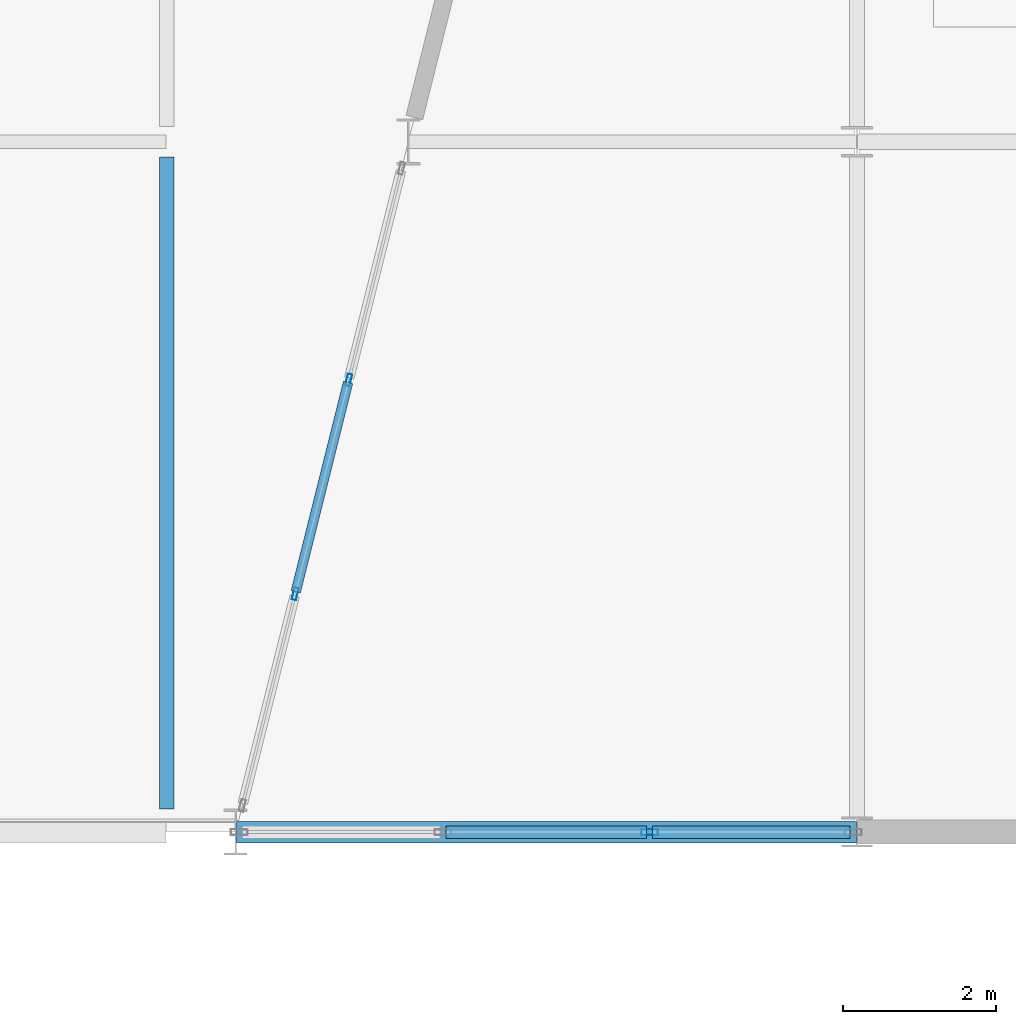
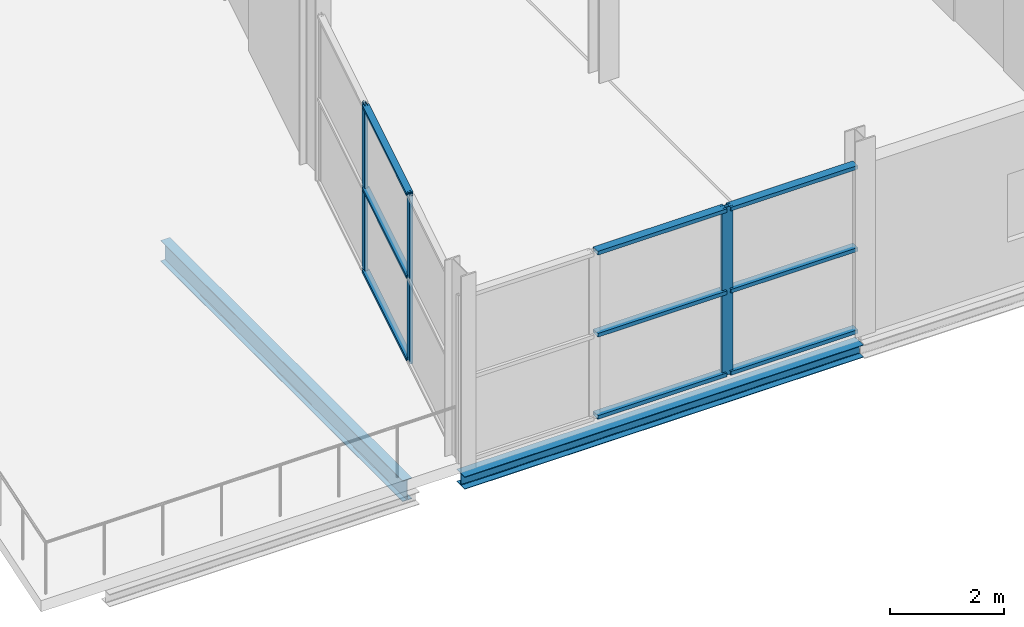
# One storey, part 9 of 44: 12 members, 2 beams, 2 elements without a shape of their own.
"""IFC4 building model written with IfcOpenShell, lengths in metres."""

from ifc_helpers import new_model, si_unit, direction, frame, origin, origin_2d, place, context, subcontext, project, spatial, hollow_rectangle, i_section, extrude, material, layer, layer_set, material_profile, profile_set, type_object, element, aggregate, save


model = new_model("IFC4")

# Units and contexts
model_context = context("Model", 3, precision=1e-05, world=origin(), true_north=direction((0.0, 1.0)))
body_context = subcontext(model_context, "Body", "Model", "MODEL_VIEW")
ifc_project = project(units=[si_unit("LENGTHUNIT", "METRE"), si_unit("AREAUNIT", "SQUARE_METRE"), si_unit("VOLUMEUNIT", "CUBIC_METRE"), si_unit("PLANEANGLEUNIT", "RADIAN"), si_unit("MASSUNIT", "GRAM", prefix="KILO")], contexts=[model_context])

# Site, building, storey
site_placement = place(None, origin())
site = spatial("IfcSite", under=ifc_project, at=site_placement, CompositionType="ELEMENT")
building_placement = place(site_placement, origin())
building = spatial("IfcBuilding", under=site, at=building_placement, Name="Deido Ridge Mobility Hub", CompositionType="ELEMENT")
storey_placement = place(building_placement, frame((0.0, 0.0, 25.199951171875)))
storey = spatial("IfcBuildingStorey", under=building, at=storey_placement, Name="L06", CompositionType="ELEMENT", Elevation=25.199951171875)

# Beam
ifc_material_1 = material(Name="Steel S355J2 EN 10025-2", Category="steel")
ifc_material_profile_1 = material_profile(ifc_material_1, i_section(OverallWidth=0.18994140625, OverallDepth=0.449951171875, WebThickness=0.009521484375, FlangeThickness=0.0146484375, FilletRadius=0.02099609375, at=origin_2d()), Name="IPE 450")
ifc_profile_set_1 = profile_set([ifc_material_profile_1], Name="Steel S355J2 EN 10025-2")
beam_type_1 = type_object("IfcBeamType", Name="BM-IPE450", PredefinedType="BEAM", material=ifc_profile_set_1)
beam_1_placement = place(storey_placement, frame((135.0, 0.300048828125, -0.46484375), z_axis=(0.0, 1.0, 0.0), x_axis=(-1.0, 0.0, 0.0)))
element("IfcBeam", 1, at=beam_1_placement, inside=storey, type_object=beam_type_1, Name="Floor beam B4", PredefinedType="BEAM", context=body_context, shape_type="SweptSolid", body=[
    extrude(i_section(OverallWidth=0.18994140625, OverallDepth=0.449951171875, WebThickness=0.009521484375, FlangeThickness=0.0146484375, FilletRadius=0.02099609375, at=origin_2d()), origin(), (0.0, 0.0, 1.0), 8.5),
])

# Curtain wall, members
ifc_material_2 = material(Name="Anodised aluminium EN AW-6063 T6", Category="aluminium")
ifc_layer_1 = layer(ifc_material_2, 0.2099609375, Name="Anodised aluminium EN AW-6063 T6")
ifc_layer_set_1 = layer_set([ifc_layer_1], Name="Anodised aluminium EN AW-6063 T6")
curtain_wall_type_1 = type_object("IfcCurtainWallType", Name="CW-UF-4", PredefinedType="USERDEFINED", material=ifc_layer_set_1)
curtain_wall_1_placement = place(storey_placement, origin())
curtain_wall_1 = element("IfcCurtainWall", 2, at=curtain_wall_1_placement, inside=storey, type_object=curtain_wall_type_1, Name="Unitised curtain wall CW4", ObjectType="UNITISED FACADE", PredefinedType="USERDEFINED")
ifc_material_profile_2 = material_profile(ifc_material_2, hollow_rectangle(XDim=0.06005859375, YDim=0.159912109375, WallThickness=0.00390625, at=origin_2d()), Name="RHS 60x160x4")
ifc_profile_set_2 = profile_set([ifc_material_profile_2], Name="Anodised aluminium EN AW-6063 T6")
member_type_1 = type_object("IfcMemberType", Name="MEM-MUL-60X160", PredefinedType="MULLION", material=ifc_profile_set_2)
member_1_placement = place(storey_placement, frame((136.676513671875, 3.10595703125, 0.0), z_axis=(0.0, 0.0, 1.0), x_axis=(-0.970142500145, 0.242535625038, 0.0)))
member_1 = element("IfcMember", 3, at=member_1_placement, type_object=member_type_1, Name="CW4 mullion 2", PredefinedType="MULLION", context=body_context, shape_type="SweptSolid", body=[
    extrude(hollow_rectangle(XDim=0.06005859375, YDim=0.159912109375, WallThickness=0.00390625, at=origin_2d()), origin(), (0.0, 0.0, 1.0), 3.60009765625),
])
member_2_placement = place(storey_placement, frame((137.37353515625, 5.89404296875, 0.0), z_axis=(0.0, 0.0, 1.0), x_axis=(-0.970142500145, 0.242535625038, 0.0)))
member_2 = element("IfcMember", 4, at=member_2_placement, type_object=member_type_1, Name="CW4 mullion 3", PredefinedType="MULLION", context=body_context, shape_type="SweptSolid", body=[
    extrude(hollow_rectangle(XDim=0.06005859375, YDim=0.159912109375, WallThickness=0.00390625, at=origin_2d()), origin(), (0.0, 0.0, 1.0), 3.60009765625),
])

# Curtain wall, member
ifc_layer_2 = layer(ifc_material_2, 0.2548828125, Name="Anodised aluminium EN AW-6063 T6")
ifc_layer_set_2 = layer_set([ifc_layer_2], Name="Anodised aluminium EN AW-6063 T6")
curtain_wall_type_2 = type_object("IfcCurtainWallType", Name="CW-UF-7", PredefinedType="USERDEFINED", material=ifc_layer_set_2)
curtain_wall_2_placement = place(storey_placement, origin())
curtain_wall_2 = element("IfcCurtainWall", 5, at=curtain_wall_2_placement, inside=storey, type_object=curtain_wall_type_2, Name="Unitised curtain wall CW7", ObjectType="UNITISED FACADE", PredefinedType="USERDEFINED")
ifc_material_profile_3 = material_profile(ifc_material_2, hollow_rectangle(XDim=0.080078125, YDim=0.219970703125, WallThickness=0.00390625, at=origin_2d()), Name="RHS 80x220x4")
ifc_profile_set_3 = profile_set([ifc_material_profile_3], Name="Anodised aluminium EN AW-6063 T6")
member_type_2 = type_object("IfcMemberType", Name="MEM-MUL-80X220", PredefinedType="MULLION", material=ifc_profile_set_3)
member_3_placement = place(storey_placement, frame((141.296875, 0.0, 0.0), z_axis=(0.0, 0.0, 1.0), x_axis=(0.0, 1.0, 0.0)))
member_3 = element("IfcMember", 6, at=member_3_placement, type_object=member_type_2, Name="CW7 mullion 3", PredefinedType="MULLION", context=body_context, shape_type="SweptSolid", body=[
    extrude(hollow_rectangle(XDim=0.080078125, YDim=0.219970703125, WallThickness=0.00390625, at=origin_2d()), origin(), (0.0, 0.0, 1.0), 3.60009765625),
])

# Member
ifc_material_profile_4 = material_profile(ifc_material_2, hollow_rectangle(XDim=0.125, YDim=0.06005859375, WallThickness=0.00390625, at=origin_2d()), Name="RHS 125x60x4")
ifc_profile_set_4 = profile_set([ifc_material_profile_4], Name="Anodised aluminium EN AW-6063 T6")
member_type_3 = type_object("IfcMemberType", Name="MEM-TRN-125X60", PredefinedType="USERDEFINED", material=ifc_profile_set_4)
member_4_placement = place(storey_placement, frame((136.683837890625, 3.135009765625, 0.030029296875), z_axis=(0.242494796486, 0.97015270637, 0.0), x_axis=(-0.97015270637, 0.242494796486, 0.0)))
member_4 = element("IfcMember", 7, at=member_4_placement, type_object=member_type_3, Name="CW4 transom 2.1", ObjectType="TRANSOM", PredefinedType="USERDEFINED", context=body_context, shape_type="SweptSolid", body=[
    extrude(hollow_rectangle(XDim=0.125, YDim=0.06005859375, WallThickness=0.00390625, at=origin_2d()), origin(), (0.0, 0.0, 1.0), 2.81396484375),
])

member_5_placement = place(storey_placement, frame((136.683837890625, 3.135009765625, 1.800048828125), z_axis=(0.242494796486, 0.97015270637, 0.0), x_axis=(-0.97015270637, 0.242494796486, 0.0)))
member_5 = element("IfcMember", 8, at=member_5_placement, type_object=member_type_3, Name="CW4 transom 2.2", ObjectType="TRANSOM", PredefinedType="USERDEFINED", context=body_context, shape_type="SweptSolid", body=[
    extrude(hollow_rectangle(XDim=0.125, YDim=0.06005859375, WallThickness=0.00390625, at=origin_2d()), origin(), (0.0, 0.0, 1.0), 2.81396484375),
])

member_6_placement = place(storey_placement, frame((136.683837890625, 3.135009765625, 3.570068359375), z_axis=(0.242494796486, 0.97015270637, 0.0), x_axis=(-0.97015270637, 0.242494796486, 0.0)))
member_6 = element("IfcMember", 9, at=member_6_placement, type_object=member_type_3, Name="CW4 transom 2.3", ObjectType="TRANSOM", PredefinedType="USERDEFINED", context=body_context, shape_type="SweptSolid", body=[
    extrude(hollow_rectangle(XDim=0.125, YDim=0.06005859375, WallThickness=0.00390625, at=origin_2d()), origin(), (0.0, 0.0, 1.0), 2.81396484375),
])

aggregate(curtain_wall_1, [member_1, member_2, member_4, member_5, member_6])

ifc_material_profile_5 = material_profile(ifc_material_2, hollow_rectangle(XDim=0.1650390625, YDim=0.080078125, WallThickness=0.00390625, at=origin_2d()), Name="RHS 165x80x4")
ifc_profile_set_5 = profile_set([ifc_material_profile_5], Name="Anodised aluminium EN AW-6063 T6")
member_type_4 = type_object("IfcMemberType", Name="MEM-TRN-165X80", PredefinedType="USERDEFINED", material=ifc_profile_set_5)
member_7_placement = place(storey_placement, frame((138.642333984375, 0.0, 0.0400390625), z_axis=(1.0, 0.0, 0.0), x_axis=(0.0, 1.0, 0.0)))
member_7 = element("IfcMember", 10, at=member_7_placement, type_object=member_type_4, Name="CW7 transom 2.1", ObjectType="TRANSOM", PredefinedType="USERDEFINED", context=body_context, shape_type="SweptSolid", body=[
    extrude(hollow_rectangle(XDim=0.1650390625, YDim=0.080078125, WallThickness=0.00390625, at=origin_2d()), origin(), (0.0, 0.0, 1.0), 2.614501953125),
])

member_8_placement = place(storey_placement, frame((138.642333984375, 0.0, 1.800048828125), z_axis=(1.0, 0.0, 0.0), x_axis=(0.0, 1.0, 0.0)))
member_8 = element("IfcMember", 11, at=member_8_placement, type_object=member_type_4, Name="CW7 transom 2.2", ObjectType="TRANSOM", PredefinedType="USERDEFINED", context=body_context, shape_type="SweptSolid", body=[
    extrude(hollow_rectangle(XDim=0.1650390625, YDim=0.080078125, WallThickness=0.00390625, at=origin_2d()), origin(), (0.0, 0.0, 1.0), 2.614501953125),
])

member_9_placement = place(storey_placement, frame((138.642333984375, 0.0, 3.56005859375), z_axis=(1.0, 0.0, 0.0), x_axis=(0.0, 1.0, 0.0)))
member_9 = element("IfcMember", 12, at=member_9_placement, type_object=member_type_4, Name="CW7 transom 2.3", ObjectType="TRANSOM", PredefinedType="USERDEFINED", context=body_context, shape_type="SweptSolid", body=[
    extrude(hollow_rectangle(XDim=0.1650390625, YDim=0.080078125, WallThickness=0.00390625, at=origin_2d()), origin(), (0.0, 0.0, 1.0), 2.614501953125),
])

member_10_placement = place(storey_placement, frame((141.336669921875, 0.0, 0.0400390625), z_axis=(1.0, 0.0, 0.0), x_axis=(0.0, 1.0, 0.0)))
member_10 = element("IfcMember", 13, at=member_10_placement, type_object=member_type_4, Name="CW7 transom 3.1", ObjectType="TRANSOM", PredefinedType="USERDEFINED", context=body_context, shape_type="SweptSolid", body=[
    extrude(hollow_rectangle(XDim=0.1650390625, YDim=0.080078125, WallThickness=0.00390625, at=origin_2d()), origin(), (0.0, 0.0, 1.0), 2.57470703125),
])

member_11_placement = place(storey_placement, frame((141.336669921875, 0.0, 1.800048828125), z_axis=(1.0, 0.0, 0.0), x_axis=(0.0, 1.0, 0.0)))
member_11 = element("IfcMember", 14, at=member_11_placement, type_object=member_type_4, Name="CW7 transom 3.2", ObjectType="TRANSOM", PredefinedType="USERDEFINED", context=body_context, shape_type="SweptSolid", body=[
    extrude(hollow_rectangle(XDim=0.1650390625, YDim=0.080078125, WallThickness=0.00390625, at=origin_2d()), origin(), (0.0, 0.0, 1.0), 2.57470703125),
])

member_12_placement = place(storey_placement, frame((141.336669921875, 0.0, 3.56005859375), z_axis=(1.0, 0.0, 0.0), x_axis=(0.0, 1.0, 0.0)))
member_12 = element("IfcMember", 15, at=member_12_placement, type_object=member_type_4, Name="CW7 transom 3.3", ObjectType="TRANSOM", PredefinedType="USERDEFINED", context=body_context, shape_type="SweptSolid", body=[
    extrude(hollow_rectangle(XDim=0.1650390625, YDim=0.080078125, WallThickness=0.00390625, at=origin_2d()), origin(), (0.0, 0.0, 1.0), 2.57470703125),
])

aggregate(curtain_wall_2, [member_3, member_7, member_8, member_9, member_10, member_11, member_12])

# Beam
ifc_material_profile_6 = material_profile(ifc_material_1, i_section(OverallWidth=0.280029296875, OverallDepth=0.27001953125, WebThickness=0.008056640625, FlangeThickness=0.012939453125, FilletRadius=0.02392578125, at=origin_2d()), Name="HEA 280")
ifc_profile_set_6 = profile_set([ifc_material_profile_6], Name="Steel S355J2 EN 10025-2")
beam_type_2 = type_object("IfcBeamType", Name="SPD-HEA280", PredefinedType="SPANDREL", material=ifc_profile_set_6)
beam_2_placement = place(storey_placement, frame((135.90771484375, 0.0, -0.375), z_axis=(1.0, 0.0, 0.0), x_axis=(0.0, 1.0, 0.0)))
element("IfcBeam", 16, at=beam_2_placement, inside=storey, type_object=beam_type_2, Name="Floor beam SP2", PredefinedType="SPANDREL", context=body_context, shape_type="SweptSolid", body=[
    extrude(i_section(OverallWidth=0.280029296875, OverallDepth=0.27001953125, WebThickness=0.008056640625, FlangeThickness=0.012939453125, FilletRadius=0.02392578125, at=origin_2d()), origin(), (0.0, 0.0, 1.0), 8.08349609375),
])

save(model, "model.ifc")
